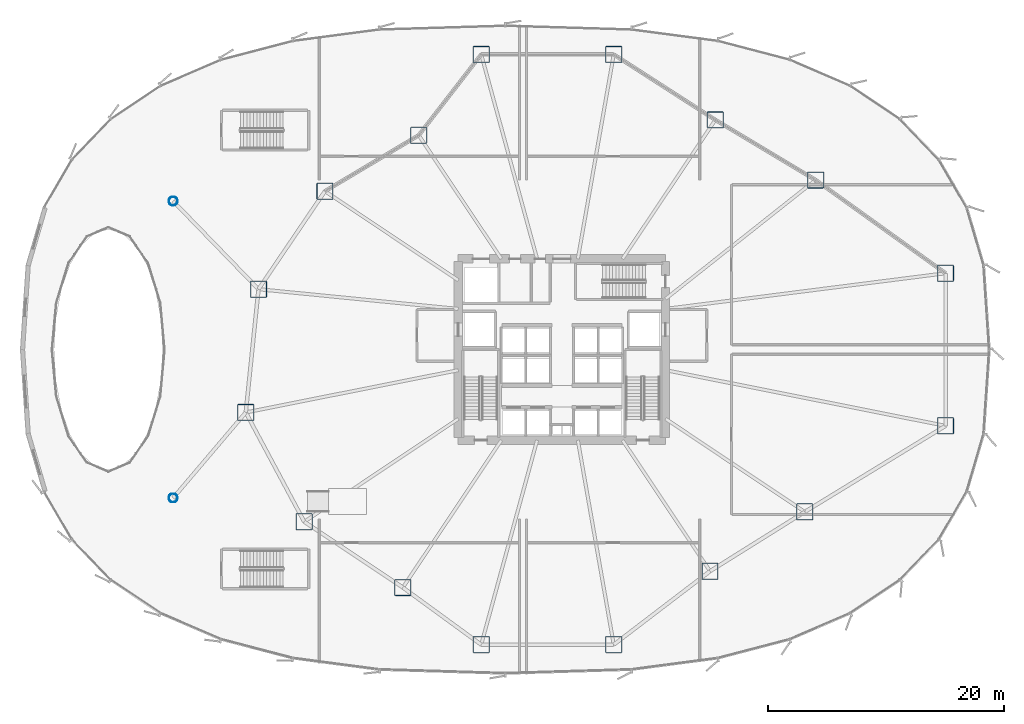
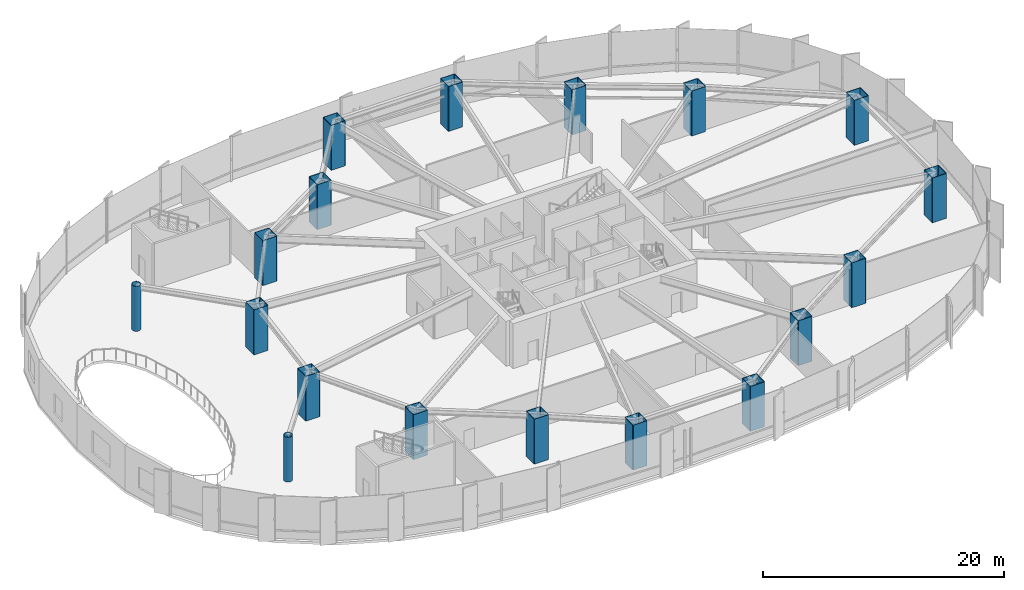
# One storey, part 1 of 34: 18 columns.
"""IFC4 building model written with IfcOpenShell, lengths in metres."""

from ifc_helpers import new_model, si_unit, direction, frame, origin, origin_2d, place, context, subcontext, project, spatial, hollow_rectangle, hollow_circle, extrude, source, transform, mapped, material, material_profile, profile_set, type_object, element, save


model = new_model("IFC4")

# Units and contexts
model_context = context("Model", 3, precision=1e-05, world=origin(), true_north=direction((0.0, 1.0)))
body_context = subcontext(model_context, "Body", "Model", "MODEL_VIEW")
ifc_project = project(units=[si_unit("LENGTHUNIT", "METRE"), si_unit("AREAUNIT", "SQUARE_METRE"), si_unit("VOLUMEUNIT", "CUBIC_METRE"), si_unit("PLANEANGLEUNIT", "RADIAN"), si_unit("MASSUNIT", "GRAM", prefix="KILO"), si_unit("THERMODYNAMICTEMPERATUREUNIT", "KELVIN")], contexts=[model_context])

# Site, building, storey
site_placement = place(None, origin())
site = spatial("IfcSite", under=ifc_project, at=site_placement, CompositionType="ELEMENT")
building_placement = place(site_placement, origin())
building = spatial("IfcBuilding", under=site, at=building_placement, Name="Kethvar Cultural Tower", CompositionType="ELEMENT")
storey_placement = place(building_placement, frame((0.0, 0.0, 5.199951171875)))
storey = spatial("IfcBuildingStorey", under=building, at=storey_placement, Name="L01", CompositionType="ELEMENT", Elevation=5.199951171875)

# Columns
ifc_material_1 = material(Name="Steel S460M", Category="steel")
ifc_material_profile_1 = material_profile(ifc_material_1, hollow_rectangle(XDim=1.39990234375, YDim=1.39990234375, WallThickness=0.050048828125, InnerFilletRadius=0.02490234375, OuterFilletRadius=0.074951171875, at=origin_2d()), Name="Steel S460M — BOX1400x1400x50")
ifc_profile_set_1 = profile_set([ifc_material_profile_1], Name="Steel S460M — BOX1400x1400x50")
column_type_1 = type_object("IfcColumnType", Name="COL-BOX1400", PredefinedType="COLUMN", material=ifc_profile_set_1)
shared_shape_1 = source(origin(), body_context, "Body", "SweptSolid", [
    extrude(hollow_rectangle(XDim=1.39990234375, YDim=1.39990234375, WallThickness=0.050048828125, InnerFilletRadius=0.02490234375, OuterFilletRadius=0.074951171875, at=origin_2d()), origin(), (0.0, 0.0, 1.0), 4.550048828125),
])
for number, where, z_axis, x_axis, name in (
    (1, (79.362060546875, 34.277099609375, 0.0), (0.0, 0.0, 1.0), (1.0, 0.0, 0.0), "L01 Podium Column C-01"),
    (2, (68.33642578125, 42.190185546875, 0.0), (0.0, 0.0, 1.0), (1.0, 0.0, 0.0), "L01 Podium Column C-02"),
    (3, (59.824951171875, 47.293212890625, 0.0), (0.0, 0.0, 1.0), (1.0, 0.0, 0.0), "L01 Podium Column C-03"),
    (4, (51.199951171875, 52.85009765625, 0.0), (0.0, 0.0, 1.0), (1.0, 0.0, 0.0), "L01 Podium Column C-04"),
    (5, (39.949951171875, 52.85009765625, 0.0), (0.0, 0.0, 1.0), (1.0, 0.0, 0.0), "L01 Podium Column C-05"),
    (6, (34.64599609375, 45.98974609375, 0.0), (0.0, 0.0, 1.0), (1.0, 0.0, 0.0), "L01 Podium Column C-06"),
    (7, (26.6845703125, 41.24072265625, 0.0), (0.0, 0.0, 1.0), (1.0, 0.0, 0.0), "L01 Podium Column C-07"),
    (8, (21.047119140625, 32.922607421875, 0.0), (0.0, 0.0, 1.0), (1.0, 0.0, 0.0), "L01 Podium Column C-08"),
    (9, (19.9658203125, 22.46240234375, 0.0), (0.0, 0.0, 1.0), (1.0, 0.0, 0.0), "L01 Podium Column C-09"),
    (10, (24.9248046875, 13.183349609375, 0.0), (0.0, 0.0, 1.0), (1.0, 0.0, 0.0), "L01 Podium Column C-10"),
    (11, (33.302001953125, 7.598876953125, 0.0), (0.0, 0.0, 1.0), (1.0, 0.0, 0.0), "L01 Podium Column C-11"),
    (12, (39.949951171875, 2.75, 0.0), (0.0, 0.0, 1.0), (1.0, 0.0, 0.0), "L01 Podium Column C-12"),
    (13, (51.199951171875, 2.75, 0.0), (0.0, 0.0, 1.0), (1.0, 0.0, 0.0), "L01 Podium Column C-13"),
    (14, (59.370361328125, 8.987060546875, 0.0), (0.0, 0.0, 1.0), (1.0, 0.0, 0.0), "L01 Podium Column C-14"),
    (15, (67.41845703125, 14.023193359375, 0.0), (0.0, 0.0, 1.0), (1.0, 0.0, 0.0), "L01 Podium Column C-15"),
    (16, (79.362060546875, 21.322998046875, 0.0), (0.0, 0.0, 1.0), (1.0, 0.0, 0.0), "L01 Podium Column C-16"),
):
    element("IfcColumn", number, at=place(storey_placement, frame(where, z_axis=z_axis, x_axis=x_axis)), inside=storey, type_object=column_type_1, Name=name, PredefinedType="COLUMN", context=body_context, shape_type="MappedRepresentation", body=[
        mapped(shared_shape_1, transform((0.0, 0.0, 0.0), scale=1.0)),
    ])
ifc_material_2 = material(Name="Steel S355J2", Category="steel")
ifc_material_profile_2 = material_profile(ifc_material_2, hollow_circle(Radius=0.381103515625, WallThickness=0.02490234375, at=origin_2d()), Name="Steel S355J2 — CHS762x25")
ifc_profile_set_2 = profile_set([ifc_material_profile_2], Name="Steel S355J2 — CHS762x25")
column_type_2 = type_object("IfcColumnType", Name="COL-CHS762", PredefinedType="COLUMN", material=ifc_profile_set_2)
shared_shape_2 = source(origin(), body_context, "Body", "SweptSolid", [
    extrude(hollow_circle(Radius=0.381103515625, WallThickness=0.02490234375, at=origin_2d()), origin(), (0.0, 0.0, 1.0), 4.550048828125),
])
for number, where, z_axis, x_axis, name in (
    (17, (13.800048828125, 15.199951171875, 0.0), (0.0, 0.0, 1.0), (1.0, 0.0, 0.0), "L01 Podium Column C-17"),
    (18, (13.800048828125, 40.39990234375, 0.0), (0.0, 0.0, 1.0), (1.0, 0.0, 0.0), "L01 Podium Column C-18"),
):
    element("IfcColumn", number, at=place(storey_placement, frame(where, z_axis=z_axis, x_axis=x_axis)), inside=storey, type_object=column_type_2, Name=name, PredefinedType="COLUMN", context=body_context, shape_type="MappedRepresentation", body=[
        mapped(shared_shape_2, transform((0.0, 0.0, 0.0), scale=1.0)),
    ])

save(model, "model.ifc")
